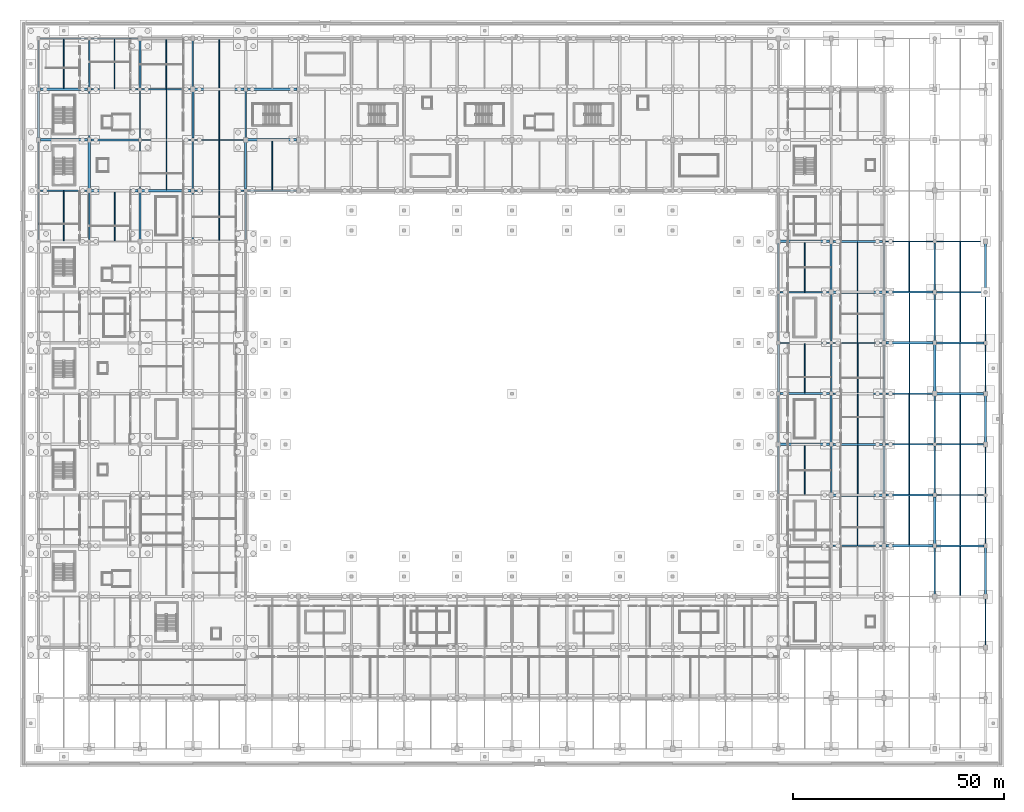
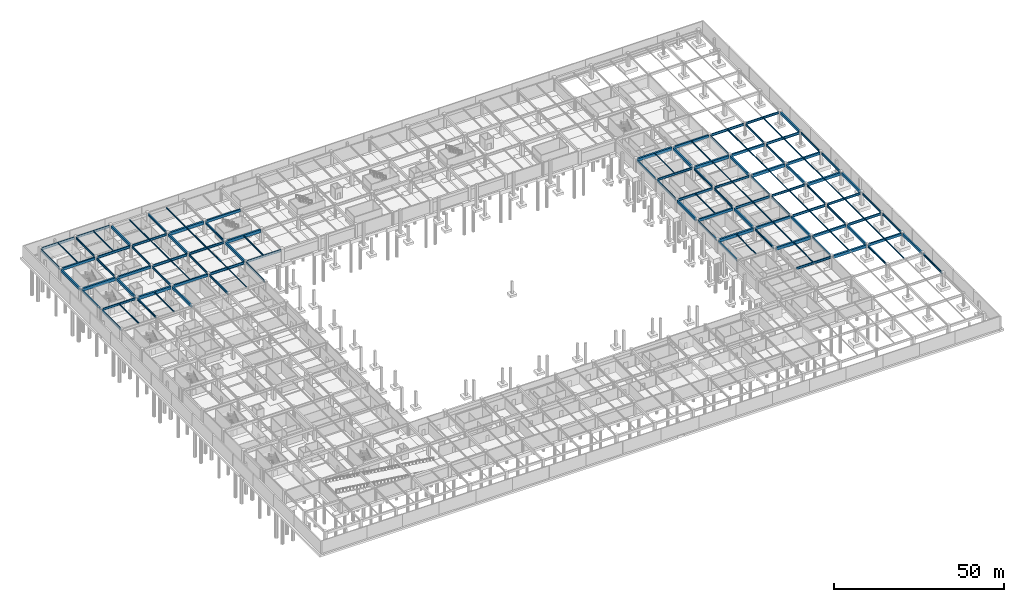
# One storey, part 18 of 56: 127 beams.
"""IFC4 building model written with IfcOpenShell, lengths in metres."""

from ifc_helpers import new_model, si_unit, direction, frame, origin, origin_2d, place, context, subcontext, project, spatial, rectangle, i_section, extrude, material, material_profile, profile_set, type_object, element, save


model = new_model("IFC4")

# Units and contexts
model_context = context("Model", 3, precision=1e-05, world=origin(), true_north=direction((0.0, 1.0)))
body_context = subcontext(model_context, "Body", "Model", "MODEL_VIEW")
ifc_project = project(units=[si_unit("LENGTHUNIT", "METRE"), si_unit("AREAUNIT", "SQUARE_METRE"), si_unit("VOLUMEUNIT", "CUBIC_METRE"), si_unit("PLANEANGLEUNIT", "RADIAN"), si_unit("MASSUNIT", "GRAM", prefix="KILO")], contexts=[model_context])

# Site, building, storey
site_placement = place(None, origin())
site = spatial("IfcSite", under=ifc_project, at=site_placement, CompositionType="ELEMENT")
building_placement = place(site_placement, origin())
building = spatial("IfcBuilding", under=site, at=building_placement, Name="Kazenohara Klinker Stadium", CompositionType="ELEMENT")
storey_placement = place(building_placement, frame((0.0, 0.0, -4.800048828125)))
storey = spatial("IfcBuildingStorey", under=building, at=storey_placement, Name="B01", CompositionType="ELEMENT", Elevation=-4.800048828125)

# Beams
ifc_material_1 = material(Name="Steel S355", Category="steel")
ifc_material_profile_1 = material_profile(ifc_material_1, i_section(OverallWidth=0.199951171875, OverallDepth=0.5, WebThickness=0.010009765625, FlangeThickness=0.01611328125, FilletRadius=0.012939453125, at=origin_2d()), Name="H-500x200x10x16")
ifc_profile_set_1 = profile_set([ifc_material_profile_1], Name="Steel S355")
beam_type_1 = type_object("IfcBeamType", Name="BM-JST01", PredefinedType="JOIST", material=ifc_profile_set_1)
beam_1_placement = place(storey_placement, frame((6.0, 120.14990234375, 4.2099609375), z_axis=(0.0, 1.0, 0.0), x_axis=(-1.0, 0.0, 0.0)))
element("IfcBeam", 1, at=beam_1_placement, inside=storey, type_object=beam_type_1, Name="Secondary floor joist SJ01 B01 1/L", PredefinedType="JOIST", context=body_context, shape_type="SweptSolid", body=[
    extrude(i_section(OverallWidth=0.199951171875, OverallDepth=0.5, WebThickness=0.010009765625, FlangeThickness=0.01611328125, FilletRadius=0.012939453125, at=origin_2d()), origin(), (0.0, 0.0, 1.0), 11.7001953125),
])
for number, where, z_axis, x_axis, name in (
    (2, (30.25, 156.14990234375, 4.2099609375), (0.0, 1.0, 0.0), (-1.0, 0.0, 0.0), "Secondary floor joist SJ01 B01 3/P"),
    (3, (42.75, 144.14990234375, 4.2099609375), (0.0, 1.0, 0.0), (-1.0, 0.0, 0.0), "Secondary floor joist SJ01 B01 4/N"),
    (4, (55.25, 132.14990234375, 4.2099609375), (0.0, 1.0, 0.0), (-1.0, 0.0, 0.0), "Secondary floor joist SJ01 B01 5/M"),
):
    element("IfcBeam", number, at=place(storey_placement, frame(where, z_axis=z_axis, x_axis=x_axis)), inside=storey, type_object=beam_type_1, Name=name, PredefinedType="JOIST", context=body_context, shape_type="SweptSolid", body=[
        extrude(i_section(OverallWidth=0.199951171875, OverallDepth=0.5, WebThickness=0.010009765625, FlangeThickness=0.01611328125, FilletRadius=0.012939453125, at=origin_2d()), origin(), (0.0, 0.0, 1.0), 11.550048828125),
    ])
for number, where, z_axis, x_axis, name in (
    (5, (193.75, 60.300048828125, 4.2099609375), (0.0, 1.0, 0.0), (-1.0, 0.0, 0.0), "Secondary floor joist SJ01 B01 16/F"),
    (6, (206.0, 48.300048828125, 4.2099609375), (0.0, 1.0, 0.0), (-1.0, 0.0, 0.0), "Secondary floor joist SJ01 B01 17/E"),
):
    element("IfcBeam", number, at=place(storey_placement, frame(where, z_axis=z_axis, x_axis=x_axis)), inside=storey, type_object=beam_type_1, Name=name, PredefinedType="JOIST", context=body_context, shape_type="SweptSolid", body=[
        extrude(i_section(OverallWidth=0.199951171875, OverallDepth=0.5, WebThickness=0.010009765625, FlangeThickness=0.01611328125, FilletRadius=0.012939453125, at=origin_2d()), origin(), (0.0, 0.0, 1.0), 11.449951171875),
    ])
beam_2_placement = place(storey_placement, frame((206.0, 108.25, 4.2099609375), z_axis=(0.0, 1.0, 0.0), x_axis=(-1.0, 0.0, 0.0)))
element("IfcBeam", 7, at=beam_2_placement, inside=storey, type_object=beam_type_1, Name="Secondary floor joist SJ01 B01 17/K", PredefinedType="JOIST", context=body_context, shape_type="SweptSolid", body=[
    extrude(i_section(OverallWidth=0.199951171875, OverallDepth=0.5, WebThickness=0.010009765625, FlangeThickness=0.01611328125, FilletRadius=0.012939453125, at=origin_2d()), origin(), (0.0, 0.0, 1.0), 11.60009765625),
])
beam_3_placement = place(storey_placement, frame((218.0, 36.300048828125, 4.2099609375), z_axis=(0.0, 1.0, 0.0), x_axis=(-1.0, 0.0, 0.0)))
element("IfcBeam", 8, at=beam_3_placement, inside=storey, type_object=beam_type_1, Name="Secondary floor joist SJ01 B01 18/D", PredefinedType="JOIST", context=body_context, shape_type="SweptSolid", body=[
    extrude(i_section(OverallWidth=0.199951171875, OverallDepth=0.5, WebThickness=0.010009765625, FlangeThickness=0.01611328125, FilletRadius=0.012939453125, at=origin_2d()), origin(), (0.0, 0.0, 1.0), 11.449951171875),
])
beam_4_placement = place(storey_placement, frame((218.0, 96.25, 4.2099609375), z_axis=(0.0, 1.0, 0.0), x_axis=(-1.0, 0.0, 0.0)))
element("IfcBeam", 9, at=beam_4_placement, inside=storey, type_object=beam_type_1, Name="Secondary floor joist SJ01 B01 18/J", PredefinedType="JOIST", context=body_context, shape_type="SweptSolid", body=[
    extrude(i_section(OverallWidth=0.199951171875, OverallDepth=0.5, WebThickness=0.010009765625, FlangeThickness=0.01611328125, FilletRadius=0.012939453125, at=origin_2d()), origin(), (0.0, 0.0, 1.0), 11.60009765625),
])
ifc_material_profile_2 = material_profile(ifc_material_1, i_section(OverallWidth=0.199951171875, OverallDepth=0.449951171875, WebThickness=0.009033203125, FlangeThickness=0.013916015625, FilletRadius=0.012939453125, at=origin_2d()), Name="H-450x200x9x14")
ifc_profile_set_2 = profile_set([ifc_material_profile_2], Name="Steel S355")
beam_type_2 = type_object("IfcBeamType", Name="BM-JST02", PredefinedType="JOIST", material=ifc_profile_set_2)
beam_5_placement = place(storey_placement, frame((18.0, 120.14990234375, 4.235107421875), z_axis=(0.0, 1.0, 0.0), x_axis=(-1.0, 0.0, 0.0)))
element("IfcBeam", 10, at=beam_5_placement, inside=storey, type_object=beam_type_2, Name="Secondary floor joist SJ02 B01 2/L", PredefinedType="JOIST", context=body_context, shape_type="SweptSolid", body=[
    extrude(i_section(OverallWidth=0.199951171875, OverallDepth=0.449951171875, WebThickness=0.009033203125, FlangeThickness=0.013916015625, FilletRadius=0.012939453125, at=origin_2d()), origin(), (0.0, 0.0, 1.0), 11.550048828125),
])
beam_6_placement = place(storey_placement, frame((42.75, 156.300048828125, 4.235107421875), z_axis=(0.0, 1.0, 0.0), x_axis=(-1.0, 0.0, 0.0)))
element("IfcBeam", 11, at=beam_6_placement, inside=storey, type_object=beam_type_2, Name="Secondary floor joist SJ02 B01 4/P", PredefinedType="JOIST", context=body_context, shape_type="SweptSolid", body=[
    extrude(i_section(OverallWidth=0.199951171875, OverallDepth=0.449951171875, WebThickness=0.009033203125, FlangeThickness=0.013916015625, FilletRadius=0.012939453125, at=origin_2d()), origin(), (0.0, 0.0, 1.0), 11.449951171875),
])
for number, where, z_axis, x_axis, name in (
    (12, (181.25, 84.25, 4.235107421875), (0.0, 1.0, 0.0), (-1.0, 0.0, 0.0), "Secondary floor joist SJ02 B01 15/H"),
    (13, (193.75, 72.25, 4.235107421875), (0.0, 1.0, 0.0), (-1.0, 0.0, 0.0), "Secondary floor joist SJ02 B01 16/G"),
    (14, (206.0, 60.25, 4.235107421875), (0.0, 1.0, 0.0), (-1.0, 0.0, 0.0), "Secondary floor joist SJ02 B01 17/F"),
    (15, (218.0, 48.25, 4.235107421875), (0.0, 1.0, 0.0), (-1.0, 0.0, 0.0), "Secondary floor joist SJ02 B01 18/E"),
):
    element("IfcBeam", number, at=place(storey_placement, frame(where, z_axis=z_axis, x_axis=x_axis)), inside=storey, type_object=beam_type_2, Name=name, PredefinedType="JOIST", context=body_context, shape_type="SweptSolid", body=[
        extrude(i_section(OverallWidth=0.199951171875, OverallDepth=0.449951171875, WebThickness=0.009033203125, FlangeThickness=0.013916015625, FilletRadius=0.012939453125, at=origin_2d()), origin(), (0.0, 0.0, 1.0), 11.60009765625),
    ])
beam_7_placement = place(storey_placement, frame((218.0, 108.14990234375, 4.235107421875), z_axis=(0.0, 1.0, 0.0), x_axis=(-1.0, 0.0, 0.0)))
element("IfcBeam", 16, at=beam_7_placement, inside=storey, type_object=beam_type_2, Name="Secondary floor joist SJ02 B01 18/K", PredefinedType="JOIST", context=body_context, shape_type="SweptSolid", body=[
    extrude(i_section(OverallWidth=0.199951171875, OverallDepth=0.449951171875, WebThickness=0.009033203125, FlangeThickness=0.013916015625, FilletRadius=0.012939453125, at=origin_2d()), origin(), (0.0, 0.0, 1.0), 11.7001953125),
])
ifc_material_profile_3 = material_profile(ifc_material_1, i_section(OverallWidth=0.199951171875, OverallDepth=0.39990234375, WebThickness=0.008056640625, FlangeThickness=0.012939453125, FilletRadius=0.012939453125, at=origin_2d()), Name="H-400x200x8x13")
ifc_profile_set_3 = profile_set([ifc_material_profile_3], Name="Steel S355")
beam_type_3 = type_object("IfcBeamType", Name="BM-JST03", PredefinedType="JOIST", material=ifc_profile_set_3)
for number, where, z_axis, x_axis, name in (
    (17, (193.75, 84.14990234375, 4.260009765625), (0.0, 1.0, 0.0), (-1.0, 0.0, 0.0), "Secondary floor joist SJ03 B01 16/H"),
    (18, (206.0, 72.14990234375, 4.260009765625), (0.0, 1.0, 0.0), (-1.0, 0.0, 0.0), "Secondary floor joist SJ03 B01 17/G"),
    (19, (218.0, 60.14990234375, 4.260009765625), (0.0, 1.0, 0.0), (-1.0, 0.0, 0.0), "Secondary floor joist SJ03 B01 18/F"),
):
    element("IfcBeam", number, at=place(storey_placement, frame(where, z_axis=z_axis, x_axis=x_axis)), inside=storey, type_object=beam_type_3, Name=name, PredefinedType="JOIST", context=body_context, shape_type="SweptSolid", body=[
        extrude(i_section(OverallWidth=0.199951171875, OverallDepth=0.39990234375, WebThickness=0.008056640625, FlangeThickness=0.012939453125, FilletRadius=0.012939453125, at=origin_2d()), origin(), (0.0, 0.0, 1.0), 11.7001953125),
    ])
ifc_material_profile_4 = material_profile(ifc_material_1, i_section(OverallWidth=0.175048828125, OverallDepth=0.35009765625, WebThickness=0.007080078125, FlangeThickness=0.010986328125, FilletRadius=0.012939453125, at=origin_2d()), Name="H-350x175x7x11")
ifc_profile_set_4 = profile_set([ifc_material_profile_4], Name="Steel S355")
beam_type_4 = type_object("IfcBeamType", Name="BM-JST04", PredefinedType="JOIST", material=ifc_profile_set_4)
for number, where, z_axis, x_axis, name in (
    (20, (6.0, 156.25, 4.28515625), (0.0, 1.0, 0.0), (-1.0, 0.0, 0.0), "Secondary floor joist SJ04 B01 1/P"),
    (21, (30.25, 132.25, 4.28515625), (0.0, 1.0, 0.0), (-1.0, 0.0, 0.0), "Secondary floor joist SJ04 B01 3/M"),
    (22, (42.75, 120.25, 4.28515625), (0.0, 1.0, 0.0), (-1.0, 0.0, 0.0), "Secondary floor joist SJ04 B01 4/L"),
):
    element("IfcBeam", number, at=place(storey_placement, frame(where, z_axis=z_axis, x_axis=x_axis)), inside=storey, type_object=beam_type_4, Name=name, PredefinedType="JOIST", context=body_context, shape_type="SweptSolid", body=[
        extrude(i_section(OverallWidth=0.175048828125, OverallDepth=0.35009765625, WebThickness=0.007080078125, FlangeThickness=0.010986328125, FilletRadius=0.012939453125, at=origin_2d()), origin(), (0.0, 0.0, 1.0), 11.60009765625),
    ])
for number, where, z_axis, x_axis, name in (
    (23, (181.25, 108.14990234375, 4.28515625), (0.0, 1.0, 0.0), (-1.0, 0.0, 0.0), "Secondary floor joist SJ04 B01 15/K"),
    (24, (193.75, 96.14990234375, 4.28515625), (0.0, 1.0, 0.0), (-1.0, 0.0, 0.0), "Secondary floor joist SJ04 B01 16/J"),
    (25, (206.0, 84.14990234375, 4.28515625), (0.0, 1.0, 0.0), (-1.0, 0.0, 0.0), "Secondary floor joist SJ04 B01 17/H"),
    (26, (218.0, 72.14990234375, 4.28515625), (0.0, 1.0, 0.0), (-1.0, 0.0, 0.0), "Secondary floor joist SJ04 B01 18/G"),
):
    element("IfcBeam", number, at=place(storey_placement, frame(where, z_axis=z_axis, x_axis=x_axis)), inside=storey, type_object=beam_type_4, Name=name, PredefinedType="JOIST", context=body_context, shape_type="SweptSolid", body=[
        extrude(i_section(OverallWidth=0.175048828125, OverallDepth=0.35009765625, WebThickness=0.007080078125, FlangeThickness=0.010986328125, FilletRadius=0.012939453125, at=origin_2d()), origin(), (0.0, 0.0, 1.0), 11.550048828125),
    ])
ifc_material_profile_5 = material_profile(ifc_material_1, i_section(OverallWidth=0.14990234375, OverallDepth=0.300048828125, WebThickness=0.006591796875, FlangeThickness=0.009033203125, FilletRadius=0.012939453125, at=origin_2d()), Name="H-300x150x6.5x9")
ifc_profile_set_5 = profile_set([ifc_material_profile_5], Name="Steel S355")
beam_type_5 = type_object("IfcBeamType", Name="BM-JST05", PredefinedType="JOIST", material=ifc_profile_set_5)
for number, where, z_axis, x_axis, name in (
    (27, (18.0, 156.14990234375, 4.31005859375), (0.0, 1.0, 0.0), (-1.0, 0.0, 0.0), "Secondary floor joist SJ05 B01 2/P"),
    (28, (30.25, 144.14990234375, 4.31005859375), (0.0, 1.0, 0.0), (-1.0, 0.0, 0.0), "Secondary floor joist SJ05 B01 3/N"),
    (29, (42.75, 132.14990234375, 4.31005859375), (0.0, 1.0, 0.0), (-1.0, 0.0, 0.0), "Secondary floor joist SJ05 B01 4/M"),
):
    element("IfcBeam", number, at=place(storey_placement, frame(where, z_axis=z_axis, x_axis=x_axis)), inside=storey, type_object=beam_type_5, Name=name, PredefinedType="JOIST", context=body_context, shape_type="SweptSolid", body=[
        extrude(i_section(OverallWidth=0.14990234375, OverallDepth=0.300048828125, WebThickness=0.006591796875, FlangeThickness=0.009033203125, FilletRadius=0.012939453125, at=origin_2d()), origin(), (0.0, 0.0, 1.0), 11.7001953125),
    ])
for number, where, z_axis, x_axis, name in (
    (30, (181.25, 60.14990234375, 4.31005859375), (0.0, 1.0, 0.0), (-1.0, 0.0, 0.0), "Secondary floor joist SJ05 B01 15/F"),
    (31, (193.75, 48.14990234375, 4.31005859375), (0.0, 1.0, 0.0), (-1.0, 0.0, 0.0), "Secondary floor joist SJ05 B01 16/E"),
):
    element("IfcBeam", number, at=place(storey_placement, frame(where, z_axis=z_axis, x_axis=x_axis)), inside=storey, type_object=beam_type_5, Name=name, PredefinedType="JOIST", context=body_context, shape_type="SweptSolid", body=[
        extrude(i_section(OverallWidth=0.14990234375, OverallDepth=0.300048828125, WebThickness=0.006591796875, FlangeThickness=0.009033203125, FilletRadius=0.012939453125, at=origin_2d()), origin(), (0.0, 0.0, 1.0), 11.550048828125),
    ])
for number, where, z_axis, x_axis, name in (
    (32, (193.75, 108.300048828125, 4.31005859375), (0.0, 1.0, 0.0), (-1.0, 0.0, 0.0), "Secondary floor joist SJ05 B01 16/K"),
    (33, (206.0, 96.300048828125, 4.31005859375), (0.0, 1.0, 0.0), (-1.0, 0.0, 0.0), "Secondary floor joist SJ05 B01 17/J"),
    (34, (218.0, 84.300048828125, 4.31005859375), (0.0, 1.0, 0.0), (-1.0, 0.0, 0.0), "Secondary floor joist SJ05 B01 18/H"),
):
    element("IfcBeam", number, at=place(storey_placement, frame(where, z_axis=z_axis, x_axis=x_axis)), inside=storey, type_object=beam_type_5, Name=name, PredefinedType="JOIST", context=body_context, shape_type="SweptSolid", body=[
        extrude(i_section(OverallWidth=0.14990234375, OverallDepth=0.300048828125, WebThickness=0.006591796875, FlangeThickness=0.009033203125, FilletRadius=0.012939453125, at=origin_2d()), origin(), (0.0, 0.0, 1.0), 11.449951171875),
    ])
ifc_material_2 = material(Name="Concrete C40/50", Category="concrete")
ifc_material_profile_6 = material_profile(ifc_material_2, rectangle(XDim=0.60009765625, YDim=1.050048828125, at=origin_2d()), Name="RC-BM-600x1050")
ifc_profile_set_6 = profile_set([ifc_material_profile_6], Name="Concrete C40/50")
beam_type_6 = type_object("IfcBeamType", Name="BM-RC01", PredefinedType="BEAM", material=ifc_profile_set_6)
for number, where, z_axis, x_axis, name in (
    (35, (0.419921875, 144.0, 3.93505859375), (1.0, 0.0, 0.0), (0.0, 1.0, 0.0), "Primary girder BG01 B01 1-2/N"),
    (36, (12.419921875, 132.0, 3.93505859375), (1.0, 0.0, 0.0), (0.0, 1.0, 0.0), "Primary girder BG01 B01 2-3/M"),
):
    element("IfcBeam", number, at=place(storey_placement, frame(where, z_axis=z_axis, x_axis=x_axis)), inside=storey, type_object=beam_type_6, Name=name, PredefinedType="BEAM", context=body_context, shape_type="SweptSolid", body=[
        extrude(rectangle(XDim=0.60009765625, YDim=1.050048828125, at=origin_2d()), origin(), (0.0, 0.0, 1.0), 11.16015625),
    ])
for number, where, z_axis, x_axis, name in (
    (37, (36.919921875, 156.0, 3.93505859375), (1.0, 0.0, 0.0), (0.0, 1.0, 0.0), "Primary girder BG01 B01 4-5/P"),
    (38, (49.419921875, 144.0, 3.93505859375), (1.0, 0.0, 0.0), (0.0, 1.0, 0.0), "Primary girder BG01 B01 5-6/N"),
    (39, (175.419921875, 72.0, 3.93505859375), (1.0, 0.0, 0.0), (0.0, 1.0, 0.0), "Primary girder BG01 B01 15-16/G"),
    (40, (175.419921875, 120.0, 3.93505859375), (1.0, 0.0, 0.0), (0.0, 1.0, 0.0), "Primary girder BG01 B01 15-16/L"),
    (41, (187.919921875, 60.0, 3.93505859375), (1.0, 0.0, 0.0), (0.0, 1.0, 0.0), "Primary girder BG01 B01 16-17/F"),
    (42, (187.919921875, 108.0, 3.93505859375), (1.0, 0.0, 0.0), (0.0, 1.0, 0.0), "Primary girder BG01 B01 16-17/K"),
):
    element("IfcBeam", number, at=place(storey_placement, frame(where, z_axis=z_axis, x_axis=x_axis)), inside=storey, type_object=beam_type_6, Name=name, PredefinedType="BEAM", context=body_context, shape_type="SweptSolid", body=[
        extrude(rectangle(XDim=0.60009765625, YDim=1.050048828125, at=origin_2d()), origin(), (0.0, 0.0, 1.0), 11.66015625),
    ])
for number, where, z_axis, x_axis, name in (
    (43, (200.419921875, 48.0, 3.93505859375), (1.0, 0.0, 0.0), (0.0, 1.0, 0.0), "Primary girder BG01 B01 17-18/E"),
    (44, (200.419921875, 96.0, 3.93505859375), (1.0, 0.0, 0.0), (0.0, 1.0, 0.0), "Primary girder BG01 B01 17-18/J"),
    (45, (212.419921875, 84.0, 3.93505859375), (1.0, 0.0, 0.0), (0.0, 1.0, 0.0), "Primary girder BG01 B01 18-19/H"),
):
    element("IfcBeam", number, at=place(storey_placement, frame(where, z_axis=z_axis, x_axis=x_axis)), inside=storey, type_object=beam_type_6, Name=name, PredefinedType="BEAM", context=body_context, shape_type="SweptSolid", body=[
        extrude(rectangle(XDim=0.60009765625, YDim=1.050048828125, at=origin_2d()), origin(), (0.0, 0.0, 1.0), 11.16015625),
    ])
ifc_material_profile_7 = material_profile(ifc_material_2, rectangle(XDim=0.5, YDim=0.89990234375, at=origin_2d()), Name="RC-BM-500x900")
ifc_profile_set_7 = profile_set([ifc_material_profile_7], Name="Concrete C40/50")
beam_type_7 = type_object("IfcBeamType", Name="BM-RC02", PredefinedType="BEAM", material=ifc_profile_set_7)
for number, where, z_axis, x_axis, name in (
    (46, (0.419921875, 156.0, 4.010009765625), (1.0, 0.0, 0.0), (0.0, 1.0, 0.0), "Primary girder BG02 B01 1-2/P"),
    (47, (12.419921875, 144.0, 4.010009765625), (1.0, 0.0, 0.0), (0.0, 1.0, 0.0), "Primary girder BG02 B01 2-3/N"),
):
    element("IfcBeam", number, at=place(storey_placement, frame(where, z_axis=z_axis, x_axis=x_axis)), inside=storey, type_object=beam_type_7, Name=name, PredefinedType="BEAM", context=body_context, shape_type="SweptSolid", body=[
        extrude(rectangle(XDim=0.5, YDim=0.89990234375, at=origin_2d()), origin(), (0.0, 0.0, 1.0), 11.18017578125),
    ])
for number, where, z_axis, x_axis, name in (
    (48, (24.419921875, 132.0, 4.010009765625), (1.0, 0.0, 0.0), (0.0, 1.0, 0.0), "Primary girder BG02 B01 3-4/M"),
    (49, (49.419921875, 156.0, 4.010009765625), (1.0, 0.0, 0.0), (0.0, 1.0, 0.0), "Primary girder BG02 B01 5-6/P"),
    (50, (175.419921875, 84.0, 4.010009765625), (1.0, 0.0, 0.0), (0.0, 1.0, 0.0), "Primary girder BG02 B01 15-16/H"),
    (51, (187.919921875, 72.0, 4.010009765625), (1.0, 0.0, 0.0), (0.0, 1.0, 0.0), "Primary girder BG02 B01 16-17/G"),
    (52, (187.919921875, 120.0, 4.010009765625), (1.0, 0.0, 0.0), (0.0, 1.0, 0.0), "Primary girder BG02 B01 16-17/L"),
):
    element("IfcBeam", number, at=place(storey_placement, frame(where, z_axis=z_axis, x_axis=x_axis)), inside=storey, type_object=beam_type_7, Name=name, PredefinedType="BEAM", context=body_context, shape_type="SweptSolid", body=[
        extrude(rectangle(XDim=0.5, YDim=0.89990234375, at=origin_2d()), origin(), (0.0, 0.0, 1.0), 11.68017578125),
    ])
for number, where, z_axis, x_axis, name in (
    (53, (200.419921875, 60.0, 4.010009765625), (1.0, 0.0, 0.0), (0.0, 1.0, 0.0), "Primary girder BG02 B01 17-18/F"),
    (54, (200.419921875, 108.0, 4.010009765625), (1.0, 0.0, 0.0), (0.0, 1.0, 0.0), "Primary girder BG02 B01 17-18/K"),
    (55, (212.419921875, 48.0, 4.010009765625), (1.0, 0.0, 0.0), (0.0, 1.0, 0.0), "Primary girder BG02 B01 18-19/E"),
    (56, (212.419921875, 96.0, 4.010009765625), (1.0, 0.0, 0.0), (0.0, 1.0, 0.0), "Primary girder BG02 B01 18-19/J"),
):
    element("IfcBeam", number, at=place(storey_placement, frame(where, z_axis=z_axis, x_axis=x_axis)), inside=storey, type_object=beam_type_7, Name=name, PredefinedType="BEAM", context=body_context, shape_type="SweptSolid", body=[
        extrude(rectangle(XDim=0.5, YDim=0.89990234375, at=origin_2d()), origin(), (0.0, 0.0, 1.0), 11.18017578125),
    ])
for number, where, z_axis, x_axis, name in (
    (57, (0.0, 144.419921875, 4.010009765625), (0.0, 1.0, 0.0), (-1.0, 0.0, 0.0), "Primary girder BG02 B01 1/N-P"),
    (58, (12.0, 132.419921875, 4.010009765625), (0.0, 1.0, 0.0), (-1.0, 0.0, 0.0), "Primary girder BG02 B01 2/M-N"),
    (59, (24.0, 120.419921875, 4.010009765625), (0.0, 1.0, 0.0), (-1.0, 0.0, 0.0), "Primary girder BG02 B01 3/L-M"),
    (60, (24.0, 156.419921875, 4.010009765625), (0.0, 1.0, 0.0), (-1.0, 0.0, 0.0), "Primary girder BG02 B01 3/P-Q"),
    (61, (36.5, 144.419921875, 4.010009765625), (0.0, 1.0, 0.0), (-1.0, 0.0, 0.0), "Primary girder BG02 B01 4/N-P"),
    (62, (49.0, 132.419921875, 4.010009765625), (0.0, 1.0, 0.0), (-1.0, 0.0, 0.0), "Primary girder BG02 B01 5/M-N"),
    (63, (175.0, 84.419921875, 4.010009765625), (0.0, 1.0, 0.0), (-1.0, 0.0, 0.0), "Primary girder BG02 B01 15/H-J"),
    (64, (187.5, 72.419921875, 4.010009765625), (0.0, 1.0, 0.0), (-1.0, 0.0, 0.0), "Primary girder BG02 B01 16/G-H"),
    (65, (187.5, 108.419921875, 4.010009765625), (0.0, 1.0, 0.0), (-1.0, 0.0, 0.0), "Primary girder BG02 B01 16/K-L"),
    (66, (200.0, 60.419921875, 4.010009765625), (0.0, 1.0, 0.0), (-1.0, 0.0, 0.0), "Primary girder BG02 B01 17/F-G"),
    (67, (200.0, 96.419921875, 4.010009765625), (0.0, 1.0, 0.0), (-1.0, 0.0, 0.0), "Primary girder BG02 B01 17/J-K"),
    (68, (212.0, 48.419921875, 4.010009765625), (0.0, 1.0, 0.0), (-1.0, 0.0, 0.0), "Primary girder BG02 B01 18/E-F"),
    (69, (212.0, 84.419921875, 4.010009765625), (0.0, 1.0, 0.0), (-1.0, 0.0, 0.0), "Primary girder BG02 B01 18/H-J"),
    (70, (224.0, 36.419921875, 4.010009765625), (0.0, 1.0, 0.0), (-1.0, 0.0, 0.0), "Primary girder BG02 B01 19/D-E"),
    (71, (224.0, 72.419921875, 4.010009765625), (0.0, 1.0, 0.0), (-1.0, 0.0, 0.0), "Primary girder BG02 B01 19/G-H"),
    (72, (224.0, 108.419921875, 4.010009765625), (0.0, 1.0, 0.0), (-1.0, 0.0, 0.0), "Primary girder BG02 B01 19/K-L"),
):
    element("IfcBeam", number, at=place(storey_placement, frame(where, z_axis=z_axis, x_axis=x_axis)), inside=storey, type_object=beam_type_7, Name=name, PredefinedType="BEAM", context=body_context, shape_type="SweptSolid", body=[
        extrude(rectangle(XDim=0.5, YDim=0.89990234375, at=origin_2d()), origin(), (0.0, 0.0, 1.0), 11.16015625),
    ])
ifc_material_profile_8 = material_profile(ifc_material_1, i_section(OverallWidth=0.300048828125, OverallDepth=0.89990234375, WebThickness=0.01611328125, FlangeThickness=0.028076171875, FilletRadius=0.02197265625, at=origin_2d()), Name="H-900x300x16x28")
ifc_profile_set_8 = profile_set([ifc_material_profile_8], Name="Steel S355")
beam_type_8 = type_object("IfcBeamType", Name="BM-ST01", PredefinedType="BEAM", material=ifc_profile_set_8)
for number, where, z_axis, x_axis, name in (
    (73, (0.39990234375, 168.0, 4.010009765625), (1.0, 0.0, 0.0), (0.0, 1.0, 0.0), "Primary girder SB01 B01 1-2/Q"),
    (74, (12.39990234375, 156.0, 4.010009765625), (1.0, 0.0, 0.0), (0.0, 1.0, 0.0), "Primary girder SB01 B01 2-3/P"),
):
    element("IfcBeam", number, at=place(storey_placement, frame(where, z_axis=z_axis, x_axis=x_axis)), inside=storey, type_object=beam_type_8, Name=name, PredefinedType="BEAM", context=body_context, shape_type="SweptSolid", body=[
        extrude(i_section(OverallWidth=0.300048828125, OverallDepth=0.89990234375, WebThickness=0.01611328125, FlangeThickness=0.028076171875, FilletRadius=0.02197265625, at=origin_2d()), origin(), (0.0, 0.0, 1.0), 11.18017578125),
    ])
for number, where, z_axis, x_axis, name in (
    (75, (24.39990234375, 144.0, 4.010009765625), (1.0, 0.0, 0.0), (0.0, 1.0, 0.0), "Primary girder SB01 B01 3-4/N"),
    (76, (36.89990234375, 132.0, 4.010009765625), (1.0, 0.0, 0.0), (0.0, 1.0, 0.0), "Primary girder SB01 B01 4-5/M"),
    (77, (175.39990234375, 96.0, 4.010009765625), (1.0, 0.0, 0.0), (0.0, 1.0, 0.0), "Primary girder SB01 B01 15-16/J"),
    (78, (187.89990234375, 84.0, 4.010009765625), (1.0, 0.0, 0.0), (0.0, 1.0, 0.0), "Primary girder SB01 B01 16-17/H"),
):
    element("IfcBeam", number, at=place(storey_placement, frame(where, z_axis=z_axis, x_axis=x_axis)), inside=storey, type_object=beam_type_8, Name=name, PredefinedType="BEAM", context=body_context, shape_type="SweptSolid", body=[
        extrude(i_section(OverallWidth=0.300048828125, OverallDepth=0.89990234375, WebThickness=0.01611328125, FlangeThickness=0.028076171875, FilletRadius=0.02197265625, at=origin_2d()), origin(), (0.0, 0.0, 1.0), 11.68017578125),
    ])
for number, where, z_axis, x_axis, name in (
    (79, (200.39990234375, 72.0, 4.010009765625), (1.0, 0.0, 0.0), (0.0, 1.0, 0.0), "Primary girder SB01 B01 17-18/G"),
    (80, (200.39990234375, 120.0, 4.010009765625), (1.0, 0.0, 0.0), (0.0, 1.0, 0.0), "Primary girder SB01 B01 17-18/L"),
    (81, (212.39990234375, 60.0, 4.010009765625), (1.0, 0.0, 0.0), (0.0, 1.0, 0.0), "Primary girder SB01 B01 18-19/F"),
    (82, (212.39990234375, 108.0, 4.010009765625), (1.0, 0.0, 0.0), (0.0, 1.0, 0.0), "Primary girder SB01 B01 18-19/K"),
):
    element("IfcBeam", number, at=place(storey_placement, frame(where, z_axis=z_axis, x_axis=x_axis)), inside=storey, type_object=beam_type_8, Name=name, PredefinedType="BEAM", context=body_context, shape_type="SweptSolid", body=[
        extrude(i_section(OverallWidth=0.300048828125, OverallDepth=0.89990234375, WebThickness=0.01611328125, FlangeThickness=0.028076171875, FilletRadius=0.02197265625, at=origin_2d()), origin(), (0.0, 0.0, 1.0), 11.18017578125),
    ])
ifc_material_profile_9 = material_profile(ifc_material_1, i_section(OverallWidth=0.300048828125, OverallDepth=0.800048828125, WebThickness=0.013916015625, FlangeThickness=0.02587890625, FilletRadius=0.02197265625, at=origin_2d()), Name="H-800x300x14x26")
ifc_profile_set_9 = profile_set([ifc_material_profile_9], Name="Steel S355")
beam_type_9 = type_object("IfcBeamType", Name="BM-ST02", PredefinedType="BEAM", material=ifc_profile_set_9)
for number, where, z_axis, x_axis, name in (
    (83, (0.419921875, 132.0, 4.06005859375), (1.0, 0.0, 0.0), (0.0, 1.0, 0.0), "Primary girder SB02 B01 1-2/M"),
    (84, (12.419921875, 168.0, 4.06005859375), (1.0, 0.0, 0.0), (0.0, 1.0, 0.0), "Primary girder SB02 B01 2-3/Q"),
):
    element("IfcBeam", number, at=place(storey_placement, frame(where, z_axis=z_axis, x_axis=x_axis)), inside=storey, type_object=beam_type_9, Name=name, PredefinedType="BEAM", context=body_context, shape_type="SweptSolid", body=[
        extrude(i_section(OverallWidth=0.300048828125, OverallDepth=0.800048828125, WebThickness=0.013916015625, FlangeThickness=0.02587890625, FilletRadius=0.02197265625, at=origin_2d()), origin(), (0.0, 0.0, 1.0), 11.16015625),
    ])
for number, where, z_axis, x_axis, name in (
    (85, (24.419921875, 156.0, 4.06005859375), (1.0, 0.0, 0.0), (0.0, 1.0, 0.0), "Primary girder SB02 B01 3-4/P"),
    (86, (36.919921875, 144.0, 4.06005859375), (1.0, 0.0, 0.0), (0.0, 1.0, 0.0), "Primary girder SB02 B01 4-5/N"),
    (87, (49.419921875, 132.0, 4.06005859375), (1.0, 0.0, 0.0), (0.0, 1.0, 0.0), "Primary girder SB02 B01 5-6/M"),
    (88, (175.419921875, 108.0, 4.06005859375), (1.0, 0.0, 0.0), (0.0, 1.0, 0.0), "Primary girder SB02 B01 15-16/K"),
    (89, (187.919921875, 48.0, 4.06005859375), (1.0, 0.0, 0.0), (0.0, 1.0, 0.0), "Primary girder SB02 B01 16-17/E"),
    (90, (187.919921875, 96.0, 4.06005859375), (1.0, 0.0, 0.0), (0.0, 1.0, 0.0), "Primary girder SB02 B01 16-17/J"),
):
    element("IfcBeam", number, at=place(storey_placement, frame(where, z_axis=z_axis, x_axis=x_axis)), inside=storey, type_object=beam_type_9, Name=name, PredefinedType="BEAM", context=body_context, shape_type="SweptSolid", body=[
        extrude(i_section(OverallWidth=0.300048828125, OverallDepth=0.800048828125, WebThickness=0.013916015625, FlangeThickness=0.02587890625, FilletRadius=0.02197265625, at=origin_2d()), origin(), (0.0, 0.0, 1.0), 11.66015625),
    ])
for number, where, z_axis, x_axis, name in (
    (91, (200.419921875, 84.0, 4.06005859375), (1.0, 0.0, 0.0), (0.0, 1.0, 0.0), "Primary girder SB02 B01 17-18/H"),
    (92, (212.419921875, 72.0, 4.06005859375), (1.0, 0.0, 0.0), (0.0, 1.0, 0.0), "Primary girder SB02 B01 18-19/G"),
    (93, (212.419921875, 120.0, 4.06005859375), (1.0, 0.0, 0.0), (0.0, 1.0, 0.0), "Primary girder SB02 B01 18-19/L"),
    (94, (0.0, 120.419921875, 4.06005859375), (0.0, 1.0, 0.0), (-1.0, 0.0, 0.0), "Primary girder SB02 B01 1/L-M"),
    (95, (0.0, 156.419921875, 4.06005859375), (0.0, 1.0, 0.0), (-1.0, 0.0, 0.0), "Primary girder SB02 B01 1/P-Q"),
    (96, (12.0, 144.419921875, 4.06005859375), (0.0, 1.0, 0.0), (-1.0, 0.0, 0.0), "Primary girder SB02 B01 2/N-P"),
    (97, (24.0, 132.419921875, 4.06005859375), (0.0, 1.0, 0.0), (-1.0, 0.0, 0.0), "Primary girder SB02 B01 3/M-N"),
    (98, (36.5, 120.419921875, 4.06005859375), (0.0, 1.0, 0.0), (-1.0, 0.0, 0.0), "Primary girder SB02 B01 4/L-M"),
    (99, (36.5, 156.419921875, 4.06005859375), (0.0, 1.0, 0.0), (-1.0, 0.0, 0.0), "Primary girder SB02 B01 4/P-Q"),
    (100, (49.0, 144.419921875, 4.06005859375), (0.0, 1.0, 0.0), (-1.0, 0.0, 0.0), "Primary girder SB02 B01 5/N-P"),
    (101, (175.0, 60.419921875, 4.06005859375), (0.0, 1.0, 0.0), (-1.0, 0.0, 0.0), "Primary girder SB02 B01 15/F-G"),
    (102, (175.0, 96.419921875, 4.06005859375), (0.0, 1.0, 0.0), (-1.0, 0.0, 0.0), "Primary girder SB02 B01 15/J-K"),
    (103, (187.5, 84.419921875, 4.06005859375), (0.0, 1.0, 0.0), (-1.0, 0.0, 0.0), "Primary girder SB02 B01 16/H-J"),
    (104, (200.0, 72.419921875, 4.06005859375), (0.0, 1.0, 0.0), (-1.0, 0.0, 0.0), "Primary girder SB02 B01 17/G-H"),
    (105, (200.0, 108.419921875, 4.06005859375), (0.0, 1.0, 0.0), (-1.0, 0.0, 0.0), "Primary girder SB02 B01 17/K-L"),
    (106, (212.0, 60.419921875, 4.06005859375), (0.0, 1.0, 0.0), (-1.0, 0.0, 0.0), "Primary girder SB02 B01 18/F-G"),
    (107, (212.0, 96.419921875, 4.06005859375), (0.0, 1.0, 0.0), (-1.0, 0.0, 0.0), "Primary girder SB02 B01 18/J-K"),
    (108, (224.0, 48.419921875, 4.06005859375), (0.0, 1.0, 0.0), (-1.0, 0.0, 0.0), "Primary girder SB02 B01 19/E-F"),
    (109, (224.0, 84.419921875, 4.06005859375), (0.0, 1.0, 0.0), (-1.0, 0.0, 0.0), "Primary girder SB02 B01 19/H-J"),
):
    element("IfcBeam", number, at=place(storey_placement, frame(where, z_axis=z_axis, x_axis=x_axis)), inside=storey, type_object=beam_type_9, Name=name, PredefinedType="BEAM", context=body_context, shape_type="SweptSolid", body=[
        extrude(i_section(OverallWidth=0.300048828125, OverallDepth=0.800048828125, WebThickness=0.013916015625, FlangeThickness=0.02587890625, FilletRadius=0.02197265625, at=origin_2d()), origin(), (0.0, 0.0, 1.0), 11.16015625),
    ])
ifc_material_profile_10 = material_profile(ifc_material_1, i_section(OverallWidth=0.300048828125, OverallDepth=0.699951171875, WebThickness=0.012939453125, FlangeThickness=0.02392578125, FilletRadius=0.02197265625, at=origin_2d()), Name="H-700x300x13x24")
ifc_profile_set_10 = profile_set([ifc_material_profile_10], Name="Steel S355")
beam_type_10 = type_object("IfcBeamType", Name="BM-ST03", PredefinedType="BEAM", material=ifc_profile_set_10)
for number, where, z_axis, x_axis, name in (
    (110, (0.0, 132.419921875, 4.110107421875), (0.0, 1.0, 0.0), (-1.0, 0.0, 0.0), "Primary girder SB03 B01 1/M-N"),
    (111, (12.0, 120.419921875, 4.110107421875), (0.0, 1.0, 0.0), (-1.0, 0.0, 0.0), "Primary girder SB03 B01 2/L-M"),
    (112, (12.0, 156.419921875, 4.110107421875), (0.0, 1.0, 0.0), (-1.0, 0.0, 0.0), "Primary girder SB03 B01 2/P-Q"),
    (113, (24.0, 144.419921875, 4.110107421875), (0.0, 1.0, 0.0), (-1.0, 0.0, 0.0), "Primary girder SB03 B01 3/N-P"),
    (114, (36.5, 132.419921875, 4.110107421875), (0.0, 1.0, 0.0), (-1.0, 0.0, 0.0), "Primary girder SB03 B01 4/M-N"),
    (115, (49.0, 120.419921875, 4.110107421875), (0.0, 1.0, 0.0), (-1.0, 0.0, 0.0), "Primary girder SB03 B01 5/L-M"),
    (116, (175.0, 72.419921875, 4.110107421875), (0.0, 1.0, 0.0), (-1.0, 0.0, 0.0), "Primary girder SB03 B01 15/G-H"),
    (117, (175.0, 108.419921875, 4.110107421875), (0.0, 1.0, 0.0), (-1.0, 0.0, 0.0), "Primary girder SB03 B01 15/K-L"),
    (118, (187.5, 60.419921875, 4.110107421875), (0.0, 1.0, 0.0), (-1.0, 0.0, 0.0), "Primary girder SB03 B01 16/F-G"),
    (119, (187.5, 96.419921875, 4.110107421875), (0.0, 1.0, 0.0), (-1.0, 0.0, 0.0), "Primary girder SB03 B01 16/J-K"),
    (120, (200.0, 48.419921875, 4.110107421875), (0.0, 1.0, 0.0), (-1.0, 0.0, 0.0), "Primary girder SB03 B01 17/E-F"),
    (121, (200.0, 84.419921875, 4.110107421875), (0.0, 1.0, 0.0), (-1.0, 0.0, 0.0), "Primary girder SB03 B01 17/H-J"),
    (122, (212.0, 36.419921875, 4.110107421875), (0.0, 1.0, 0.0), (-1.0, 0.0, 0.0), "Primary girder SB03 B01 18/D-E"),
    (123, (212.0, 72.419921875, 4.110107421875), (0.0, 1.0, 0.0), (-1.0, 0.0, 0.0), "Primary girder SB03 B01 18/G-H"),
    (124, (212.0, 108.419921875, 4.110107421875), (0.0, 1.0, 0.0), (-1.0, 0.0, 0.0), "Primary girder SB03 B01 18/K-L"),
    (125, (224.0, 24.419921875, 4.110107421875), (0.0, 1.0, 0.0), (-1.0, 0.0, 0.0), "Primary girder SB03 B01 19/C-D"),
    (126, (224.0, 60.419921875, 4.110107421875), (0.0, 1.0, 0.0), (-1.0, 0.0, 0.0), "Primary girder SB03 B01 19/F-G"),
    (127, (224.0, 96.419921875, 4.110107421875), (0.0, 1.0, 0.0), (-1.0, 0.0, 0.0), "Primary girder SB03 B01 19/J-K"),
):
    element("IfcBeam", number, at=place(storey_placement, frame(where, z_axis=z_axis, x_axis=x_axis)), inside=storey, type_object=beam_type_10, Name=name, PredefinedType="BEAM", context=body_context, shape_type="SweptSolid", body=[
        extrude(i_section(OverallWidth=0.300048828125, OverallDepth=0.699951171875, WebThickness=0.012939453125, FlangeThickness=0.02392578125, FilletRadius=0.02197265625, at=origin_2d()), origin(), (0.0, 0.0, 1.0), 11.16015625),
    ])

save(model, "model.ifc")
